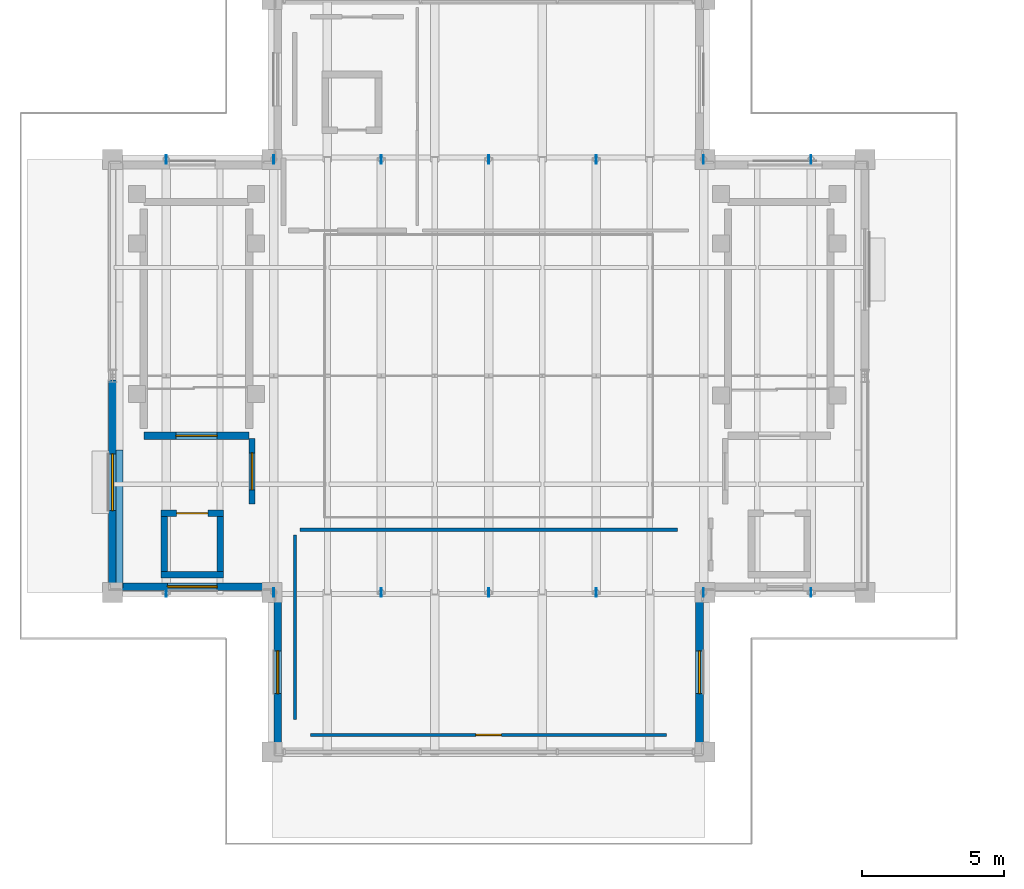
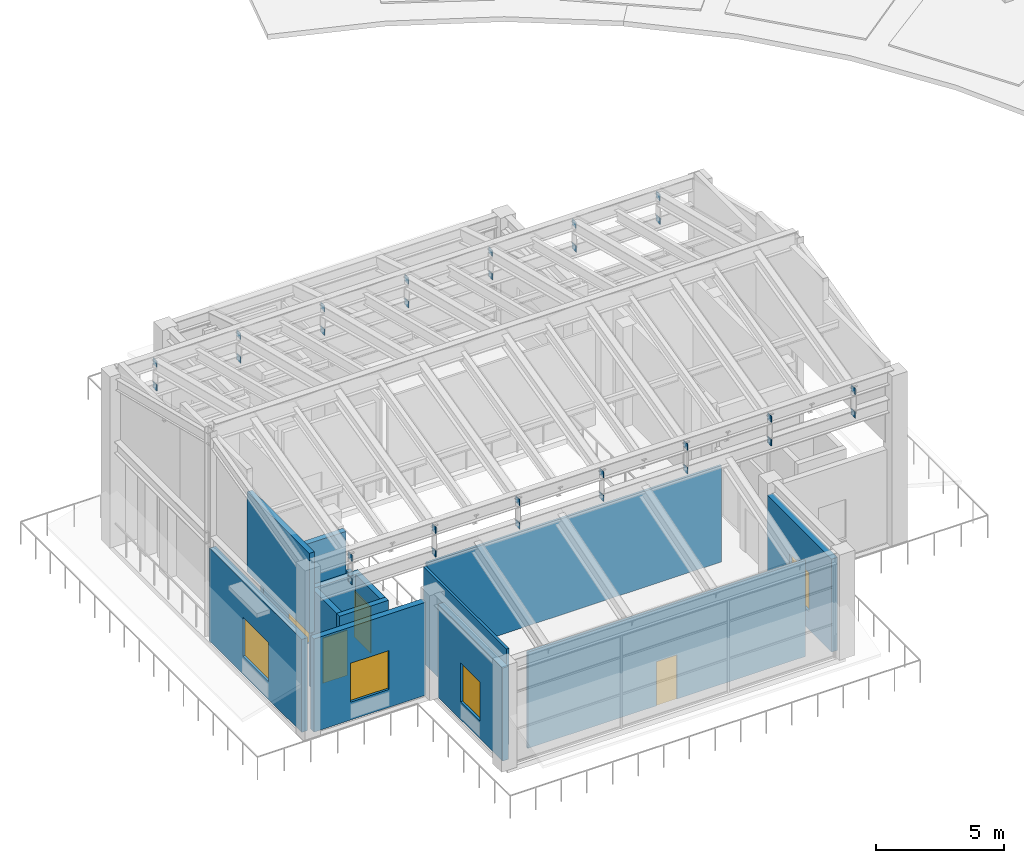
# One storey, part 6 of 11: 28 plates, 14 walls, 4 doors, 4 windows, 8 openings.
"""IFC4 building model written with IfcOpenShell, lengths in metres."""

from ifc_helpers import new_model, si_unit, direction, frame, frame_2d, origin, origin_2d, place, context, subcontext, project, spatial, rectangle, extrude, material, layer, layer_set, type_object, element, fill, save


model = new_model("IFC4")

# Units and contexts
model_context = context("Model", 3, precision=1e-05, world=origin(), true_north=direction((0.0, 1.0)))
body_context = subcontext(model_context, "Body", "Model", "MODEL_VIEW")
ifc_project = project(units=[si_unit("LENGTHUNIT", "METRE"), si_unit("AREAUNIT", "SQUARE_METRE"), si_unit("VOLUMEUNIT", "CUBIC_METRE"), si_unit("PLANEANGLEUNIT", "RADIAN"), si_unit("MASSUNIT", "GRAM", prefix="KILO")], contexts=[model_context])

# Site, building, storey
site_placement = place(None, origin())
site = spatial("IfcSite", under=ifc_project, at=site_placement, CompositionType="ELEMENT")
building_placement = place(site_placement, origin())
building = spatial("IfcBuilding", under=site, at=building_placement, Name="Saryqyr Civic Hall", CompositionType="ELEMENT")
storey_placement = place(building_placement, frame((0.0, 0.0, 29.39990234375)))
storey = spatial("IfcBuildingStorey", under=building, at=storey_placement, Name="L07", CompositionType="ELEMENT", Elevation=29.39990234375)

# Plates
ifc_material_1 = material(Name="Steel S355", Category="steel")
ifc_layer_1 = layer(ifc_material_1, 0.028076171875, Name="Steel S355")
ifc_layer_set_1 = layer_set([ifc_layer_1], Name="Steel S355")
plate_type = type_object("IfcPlateType", Name="STR-PLT-CAP28", PredefinedType="USERDEFINED", material=ifc_layer_set_1)
for number, where, z_axis, x_axis, name in (
    (1, (45.685791015625, 76.39990234375, 6.5703125), (0.0, 0.0, 1.0), (1.0, 0.0, 0.0), "Hollow section end cap V1-STRCAP-S0-B1"),
    (2, (45.685791015625, 76.39990234375, 7.68994140625), (0.0, 0.0, 1.0), (1.0, 0.0, 0.0), "Hollow section end cap V1-STRCAP-S1-B1"),
    (3, (45.685791015625, 91.60009765625, 6.5703125), (0.0, 0.0, 1.0), (1.0, 0.0, 0.0), "Hollow section end cap V1-STRCAP-N0-B1"),
    (4, (45.685791015625, 91.60009765625, 7.68994140625), (0.0, 0.0, 1.0), (1.0, 0.0, 0.0), "Hollow section end cap V1-STRCAP-N1-B1"),
    (5, (49.45703125, 76.39990234375, 6.5703125), (0.0, 0.0, 1.0), (1.0, 0.0, 0.0), "Hollow section end cap V1-STRCAP-S0-B2"),
    (6, (49.45703125, 76.39990234375, 7.68994140625), (0.0, 0.0, 1.0), (1.0, 0.0, 0.0), "Hollow section end cap V1-STRCAP-S1-B2"),
    (7, (49.45703125, 91.60009765625, 6.5703125), (0.0, 0.0, 1.0), (1.0, 0.0, 0.0), "Hollow section end cap V1-STRCAP-N0-B2"),
    (8, (49.45703125, 91.60009765625, 7.68994140625), (0.0, 0.0, 1.0), (1.0, 0.0, 0.0), "Hollow section end cap V1-STRCAP-N1-B2"),
    (9, (53.228515625, 76.39990234375, 6.5703125), (0.0, 0.0, 1.0), (1.0, 0.0, 0.0), "Hollow section end cap V1-STRCAP-S0-B3"),
    (10, (53.228515625, 76.39990234375, 7.68994140625), (0.0, 0.0, 1.0), (1.0, 0.0, 0.0), "Hollow section end cap V1-STRCAP-S1-B3"),
    (11, (53.228515625, 91.60009765625, 6.5703125), (0.0, 0.0, 1.0), (1.0, 0.0, 0.0), "Hollow section end cap V1-STRCAP-N0-B3"),
    (12, (53.228515625, 91.60009765625, 7.68994140625), (0.0, 0.0, 1.0), (1.0, 0.0, 0.0), "Hollow section end cap V1-STRCAP-N1-B3"),
    (13, (57.0, 76.39990234375, 6.5703125), (0.0, 0.0, 1.0), (1.0, 0.0, 0.0), "Hollow section end cap V1-STRCAP-S0-B4"),
    (14, (57.0, 76.39990234375, 7.68994140625), (0.0, 0.0, 1.0), (1.0, 0.0, 0.0), "Hollow section end cap V1-STRCAP-S1-B4"),
    (15, (57.0, 91.60009765625, 6.5703125), (0.0, 0.0, 1.0), (1.0, 0.0, 0.0), "Hollow section end cap V1-STRCAP-N0-B4"),
    (16, (57.0, 91.60009765625, 7.68994140625), (0.0, 0.0, 1.0), (1.0, 0.0, 0.0), "Hollow section end cap V1-STRCAP-N1-B4"),
    (17, (60.771484375, 76.39990234375, 6.5703125), (0.0, 0.0, 1.0), (1.0, 0.0, 0.0), "Hollow section end cap V1-STRCAP-S0-B5"),
    (18, (60.771484375, 76.39990234375, 7.68994140625), (0.0, 0.0, 1.0), (1.0, 0.0, 0.0), "Hollow section end cap V1-STRCAP-S1-B5"),
    (19, (60.771484375, 91.60009765625, 6.5703125), (0.0, 0.0, 1.0), (1.0, 0.0, 0.0), "Hollow section end cap V1-STRCAP-N0-B5"),
    (20, (60.771484375, 91.60009765625, 7.68994140625), (0.0, 0.0, 1.0), (1.0, 0.0, 0.0), "Hollow section end cap V1-STRCAP-N1-B5"),
    (21, (64.542724609375, 76.39990234375, 6.5703125), (0.0, 0.0, 1.0), (1.0, 0.0, 0.0), "Hollow section end cap V1-STRCAP-S0-B6"),
    (22, (64.542724609375, 76.39990234375, 7.68994140625), (0.0, 0.0, 1.0), (1.0, 0.0, 0.0), "Hollow section end cap V1-STRCAP-S1-B6"),
    (23, (64.542724609375, 91.60009765625, 6.5703125), (0.0, 0.0, 1.0), (1.0, 0.0, 0.0), "Hollow section end cap V1-STRCAP-N0-B6"),
    (24, (64.542724609375, 91.60009765625, 7.68994140625), (0.0, 0.0, 1.0), (1.0, 0.0, 0.0), "Hollow section end cap V1-STRCAP-N1-B6"),
    (25, (68.314208984375, 76.39990234375, 6.5703125), (0.0, 0.0, 1.0), (1.0, 0.0, 0.0), "Hollow section end cap V1-STRCAP-S0-B7"),
    (26, (68.314208984375, 76.39990234375, 7.68994140625), (0.0, 0.0, 1.0), (1.0, 0.0, 0.0), "Hollow section end cap V1-STRCAP-S1-B7"),
    (27, (68.314208984375, 91.60009765625, 6.5703125), (0.0, 0.0, 1.0), (1.0, 0.0, 0.0), "Hollow section end cap V1-STRCAP-N0-B7"),
    (28, (68.314208984375, 91.60009765625, 7.68994140625), (0.0, 0.0, 1.0), (1.0, 0.0, 0.0), "Hollow section end cap V1-STRCAP-N1-B7"),
):
    element("IfcPlate", number, at=place(storey_placement, frame(where, z_axis=z_axis, x_axis=x_axis)), inside=storey, type_object=plate_type, Name=name, ObjectType="FLANGE_PLATE", PredefinedType="USERDEFINED", context=body_context, shape_type="SweptSolid", body=[
        extrude(rectangle(XDim=0.028076171875, YDim=0.300048828125, at=origin_2d()), origin(), (0.0, 0.0, 1.0), 0.300048828125),
    ])

# Wall
ifc_material_2 = material(Name="Precast concrete C40/50", Category="concrete")
ifc_layer_2 = layer(ifc_material_2, 0.239990234375, Name="Precast concrete C40/50")
ifc_layer_set_2 = layer_set([ifc_layer_2], Name="Precast concrete C40/50")
wall_type_1 = type_object("IfcWallType", Name="ENV-WAL-EXT-240", PredefinedType="STANDARD", material=ifc_layer_set_2)
wall_1_placement = place(storey_placement, frame((44.050048828125, 76.550048828125, 4.7001953125), z_axis=(0.0, 0.0, 1.0), x_axis=(0.0, 1.0, 0.0)))
element("IfcWall", 29, at=wall_1_placement, inside=storey, type_object=wall_type_1, Name="Council Chamber crown gable infill wall W-1", PredefinedType="STANDARD", context=body_context, shape_type="SweptSolid", body=[
    extrude(rectangle(XDim=4.849853515625, YDim=0.239990234375, at=frame_2d((2.4248046875, 0.0))), origin(), (0.0, 0.0, 1.0), 3.7998046875),
])

# Wall, opening, window
ifc_layer_3 = layer(ifc_material_2, 0.27001953125, Name="Precast concrete C40/50")
ifc_layer_set_3 = layer_set([ifc_layer_3], Name="Precast concrete C40/50")
wall_type_2 = type_object("IfcWallType", Name="ENV-WAL-EXT-270", PredefinedType="STANDARD", material=ifc_layer_set_3)
wall_2_placement = place(storey_placement, frame((49.60009765625, 71.0849609375, 0.0), z_axis=(0.0, 0.0, 1.0), x_axis=(0.0, 1.0, 0.0)))
wall_2 = element("IfcWall", 30, at=wall_2_placement, inside=storey, type_object=wall_type_2, Name="Exterior wall V1-EW-L07-00", PredefinedType="STANDARD", context=body_context, shape_type="SweptSolid", body=[
    extrude(rectangle(XDim=5.030029296875, YDim=0.27001953125, at=frame_2d((2.51513671875, 0.0))), origin(), (0.0, 0.0, 1.0), 4.425048828125),
])
opening_1_placement = place(wall_2_placement, frame((1.764892578125, 0.0, 0.85009765625)))
opening_1 = element("IfcOpeningElement", 31, at=opening_1_placement, cuts=wall_2, Name="Opening W-26", PredefinedType="OPENING", context=body_context, shape_type="SweptSolid", body=[
    extrude(rectangle(XDim=1.5, YDim=1.85009765625, at=frame_2d((0.75, 0.925048828125))), frame((0.0, 0.14501953125, 0.0), z_axis=(0.0, -1.0, 0.0), x_axis=(1.0, 0.0, 0.0)), (0.0, 0.0, 1.0), 0.2900390625),
])
ifc_material_3 = material(Name="Anodised aluminium and triple low-E glass", Category="aluminium")
window_type_1 = type_object("IfcWindowType", Name="ENV-WIN-W26", PartitioningType="SINGLE_PANEL", PredefinedType="WINDOW", material=ifc_material_3)
window_1_placement = place(opening_1_placement, origin())
window_1 = element("IfcWindow", 32, at=window_1_placement, inside=storey, type_object=window_type_1, Name="Chamber cluster window L07-00", OverallHeight=1.85009765625, OverallWidth=1.5, PartitioningType="SINGLE_PANEL", PredefinedType="WINDOW", context=body_context, shape_type="SweptSolid", body=[
    extrude(rectangle(XDim=1.5, YDim=1.85009765625, at=frame_2d((0.75, 0.925048828125))), frame((0.0, 0.030029296875, 0.0), z_axis=(0.0, -1.0, 0.0), x_axis=(1.0, 0.0, 0.0)), (0.0, 0.0, 1.0), 0.06005859375),
])
fill(opening_1, window_1)

wall_3_placement = place(storey_placement, frame((49.114990234375, 76.60009765625, 0.0), z_axis=(0.0, 0.0, 1.0), x_axis=(-1.0, 0.0, 0.0)))
wall_3 = element("IfcWall", 33, at=wall_3_placement, inside=storey, type_object=wall_type_2, Name="Exterior wall V1-EW-L07-01", PredefinedType="STANDARD", context=body_context, shape_type="SweptSolid", body=[
    extrude(rectangle(XDim=5.030029296875, YDim=0.27001953125, at=frame_2d((2.51513671875, 0.0))), origin(), (0.0, 0.0, 1.0), 4.425048828125),
])
opening_2_placement = place(wall_3_placement, frame((1.639892578125, 0.0, 0.85009765625)))
opening_2 = element("IfcOpeningElement", 34, at=opening_2_placement, cuts=wall_3, Name="Opening W-27", PredefinedType="OPENING", context=body_context, shape_type="SweptSolid", body=[
    extrude(rectangle(XDim=1.75, YDim=1.85009765625, at=frame_2d((0.875, 0.925048828125))), frame((0.0, 0.14501953125, 0.0), z_axis=(0.0, -1.0, 0.0), x_axis=(1.0, 0.0, 0.0)), (0.0, 0.0, 1.0), 0.2900390625),
])
window_type_2 = type_object("IfcWindowType", Name="ENV-WIN-W27", PartitioningType="SINGLE_PANEL", PredefinedType="WINDOW", material=ifc_material_3)
window_2_placement = place(opening_2_placement, origin())
window_2 = element("IfcWindow", 35, at=window_2_placement, inside=storey, type_object=window_type_2, Name="Chamber cluster window L07-01", OverallHeight=1.85009765625, OverallWidth=1.75, PartitioningType="SINGLE_PANEL", PredefinedType="WINDOW", context=body_context, shape_type="SweptSolid", body=[
    extrude(rectangle(XDim=1.75, YDim=1.85009765625, at=frame_2d((0.875, 0.925048828125))), frame((0.0, 0.030029296875, 0.0), z_axis=(0.0, -1.0, 0.0), x_axis=(1.0, 0.0, 0.0)), (0.0, 0.0, 1.0), 0.06005859375),
])
fill(opening_2, window_2)

wall_4_placement = place(storey_placement, frame((43.800048828125, 76.68505859375, 0.0), z_axis=(0.0, 0.0, 1.0), x_axis=(0.0, 1.0, 0.0)))
wall_4 = element("IfcWall", 36, at=wall_4_placement, inside=storey, type_object=wall_type_2, Name="Exterior wall V1-EW-L07-02", PredefinedType="STANDARD", context=body_context, shape_type="SweptSolid", body=[
    extrude(rectangle(XDim=7.1650390625, YDim=0.27001953125, at=frame_2d((3.58251953125, 0.0))), origin(), (0.0, 0.0, 1.0), 4.425048828125),
])
opening_3_placement = place(wall_4_placement, frame((2.58203125, 0.0, 0.85009765625)))
opening_3 = element("IfcOpeningElement", 37, at=opening_3_placement, cuts=wall_4, Name="Opening W-28", PredefinedType="OPENING", context=body_context, shape_type="SweptSolid", body=[
    extrude(rectangle(XDim=2.0, YDim=1.85009765625, at=frame_2d((1.0, 0.925048828125))), frame((0.0, 0.14501953125, 0.0), z_axis=(0.0, -1.0, 0.0), x_axis=(1.0, 0.0, 0.0)), (0.0, 0.0, 1.0), 0.2900390625),
])
window_type_3 = type_object("IfcWindowType", Name="ENV-WIN-W28", PartitioningType="SINGLE_PANEL", PredefinedType="WINDOW", material=ifc_material_3)
window_3_placement = place(opening_3_placement, origin())
window_3 = element("IfcWindow", 38, at=window_3_placement, inside=storey, type_object=window_type_3, Name="Chamber cluster window L07-02", OverallHeight=1.85009765625, OverallWidth=2.0, PartitioningType="SINGLE_PANEL", PredefinedType="WINDOW", context=body_context, shape_type="SweptSolid", body=[
    extrude(rectangle(XDim=2.0, YDim=1.85009765625, at=frame_2d((1.0, 0.925048828125))), frame((0.0, 0.030029296875, 0.0), z_axis=(0.0, -1.0, 0.0), x_axis=(1.0, 0.0, 0.0)), (0.0, 0.0, 1.0), 0.06005859375),
])
fill(opening_3, window_3)

wall_5_placement = place(storey_placement, frame((64.39990234375, 76.114990234375, 0.0), z_axis=(0.0, 0.0, 1.0), x_axis=(0.0, -1.0, 0.0)))
wall_5 = element("IfcWall", 39, at=wall_5_placement, inside=storey, type_object=wall_type_2, Name="Exterior wall V1-EW-L07-10", PredefinedType="STANDARD", context=body_context, shape_type="SweptSolid", body=[
    extrude(rectangle(XDim=5.030029296875, YDim=0.27001953125, at=frame_2d((2.51513671875, 0.0))), origin(), (0.0, 0.0, 1.0), 4.425048828125),
])
opening_4_placement = place(wall_5_placement, frame((1.764892578125, 0.0, 0.85009765625)))
opening_4 = element("IfcOpeningElement", 40, at=opening_4_placement, cuts=wall_5, Name="Opening W-26", PredefinedType="OPENING", context=body_context, shape_type="SweptSolid", body=[
    extrude(rectangle(XDim=1.5, YDim=1.85009765625, at=frame_2d((0.75, 0.925048828125))), frame((0.0, 0.14501953125, 0.0), z_axis=(0.0, -1.0, 0.0), x_axis=(1.0, 0.0, 0.0)), (0.0, 0.0, 1.0), 0.2900390625),
])
window_4_placement = place(opening_4_placement, origin())
window_4 = element("IfcWindow", 41, at=window_4_placement, inside=storey, type_object=window_type_1, Name="Chamber cluster window L07-10", OverallHeight=1.85009765625, OverallWidth=1.5, PartitioningType="SINGLE_PANEL", PredefinedType="WINDOW", context=body_context, shape_type="SweptSolid", body=[
    extrude(rectangle(XDim=1.5, YDim=1.85009765625, at=frame_2d((0.75, 0.925048828125))), frame((0.0, 0.030029296875, 0.0), z_axis=(0.0, -1.0, 0.0), x_axis=(1.0, 0.0, 0.0)), (0.0, 0.0, 1.0), 0.06005859375),
])
fill(opening_4, window_4)

# Wall, opening, door
ifc_material_4 = material(Name="Autoclaved aerated concrete blockwork", Category="masonry")
ifc_layer_4 = layer(ifc_material_4, 0.199951171875, Name="Autoclaved aerated concrete blockwork")
ifc_layer_set_4 = layer_set([ifc_layer_4], Name="Autoclaved aerated concrete blockwork")
wall_type_3 = type_object("IfcWallType", Name="INT-WAL-FIR-200", PredefinedType="PARTITIONING", material=ifc_layer_set_4)
wall_6_placement = place(storey_placement, frame((48.699951171875, 81.800048828125, 0.0), z_axis=(0.0, 0.0, 1.0), x_axis=(0.0, -1.0, 0.0)))
wall_6 = element("IfcWall", 42, at=wall_6_placement, inside=storey, type_object=wall_type_3, Name="Firefighting lift lobby enclosure wall LF-01 L07", PredefinedType="PARTITIONING", context=body_context, shape_type="SweptSolid", body=[
    extrude(rectangle(XDim=2.300048828125, YDim=0.199951171875, at=frame_2d((1.14990234375, 0.0))), origin(), (0.0, 0.0, 1.0), 2.900146484375),
])
opening_5_placement = place(wall_6_placement, frame((0.5, 0.0, 0.0)))
opening_5 = element("IfcOpeningElement", 43, at=opening_5_placement, cuts=wall_6, Name="Opening FD-01", PredefinedType="OPENING", context=body_context, shape_type="SweptSolid", body=[
    extrude(rectangle(XDim=1.300048828125, YDim=2.199951171875, at=frame_2d((0.64990234375, 1.10009765625))), frame((0.0, 0.10986328125, 0.0), z_axis=(0.0, -1.0, 0.0), x_axis=(1.0, 0.0, 0.0)), (0.0, 0.0, 1.0), 0.219970703125),
])
ifc_material_5 = material(Name="Painted galvanized steel", Category="steel")
door_type_1 = type_object("IfcDoorType", Name="INT-DR-FFLOB-1300x2200", OperationType="NOTDEFINED", PredefinedType="DOOR", material=ifc_material_5)
door_1_placement = place(opening_5_placement, origin())
door_1 = element("IfcDoor", 44, at=door_1_placement, inside=storey, type_object=door_type_1, Name="Firefighting lift lobby smoke-control door LF-01 L07", OperationType="SINGLE_SWING_LEFT", OverallHeight=2.199951171875, OverallWidth=1.300048828125, PredefinedType="DOOR", context=body_context, shape_type="SweptSolid", body=[
    extrude(rectangle(XDim=1.300048828125, YDim=2.199951171875, at=frame_2d((0.64990234375, 1.10009765625))), frame((0.0, 0.02490234375, 0.0), z_axis=(0.0, -1.0, 0.0), x_axis=(1.0, 0.0, 0.0)), (0.0, 0.0, 1.0), 0.050048828125),
])
fill(opening_5, door_1)

# Walls
ifc_material_6 = material(Name="Moisture-resistant gypsum partition", Category="gypsum")
ifc_layer_5 = layer(ifc_material_6, 0.110107421875, Name="Moisture-resistant gypsum partition")
ifc_layer_set_5 = layer_set([ifc_layer_5], Name="Moisture-resistant gypsum partition")
wall_type_4 = type_object("IfcWallType", Name="INT-WAL-PRT-110", PredefinedType="PARTITIONING", material=ifc_layer_set_5)
wall_7_placement = place(storey_placement, frame((50.199951171875, 71.949951171875, 0.0), z_axis=(0.0, 0.0, 1.0), x_axis=(0.0, 1.0, 0.0)))
element("IfcWall", 45, at=wall_7_placement, inside=storey, type_object=wall_type_4, Name="Interior partition PRT-SP-V1-L07-R01-W1", PredefinedType="PARTITIONING", context=body_context, shape_type="SweptSolid", body=[
    extrude(rectangle(XDim=6.469970703125, YDim=0.110107421875, at=frame_2d((3.23486328125, 0.0))), origin(), (0.0, 0.0, 1.0), 4.570068359375),
])
wall_8_placement = place(storey_placement, frame((50.3798828125, 78.60009765625, 0.0), z_axis=(0.0, 0.0, 1.0), x_axis=(1.0, 0.0, 0.0)))
element("IfcWall", 46, at=wall_8_placement, inside=storey, type_object=wall_type_4, Name="Interior partition PRT-SP-V1-L07-R01-W2", PredefinedType="PARTITIONING", context=body_context, shape_type="SweptSolid", body=[
    extrude(rectangle(XDim=13.240234375, YDim=0.110107421875, at=frame_2d((6.6201171875, 0.0))), origin(), (0.0, 0.0, 1.0), 4.570068359375),
])

# Wall, opening, door
wall_9_placement = place(storey_placement, frame((63.25, 71.39990234375, 0.0), z_axis=(0.0, 0.0, 1.0), x_axis=(-1.0, 0.0, 0.0)))
wall_9 = element("IfcWall", 47, at=wall_9_placement, inside=storey, type_object=wall_type_4, Name="Interior partition PRT-SP-V1-L07-R01-W3", PredefinedType="PARTITIONING", context=body_context, shape_type="SweptSolid", body=[
    extrude(rectangle(XDim=12.5, YDim=0.110107421875, at=frame_2d((6.25, 0.0))), origin(), (0.0, 0.0, 1.0), 4.570068359375),
])
opening_6_placement = place(wall_9_placement, frame((5.800048828125, 0.0, 0.0)))
opening_6 = element("IfcOpeningElement", 48, at=opening_6_placement, cuts=wall_9, Name="Opening D-01", PredefinedType="OPENING", context=body_context, shape_type="SweptSolid", body=[
    extrude(rectangle(XDim=0.89990234375, YDim=2.10009765625, at=frame_2d((0.449951171875, 1.050048828125))), frame((0.0, 0.06494140625, 0.0), z_axis=(0.0, -1.0, 0.0), x_axis=(1.0, 0.0, 0.0)), (0.0, 0.0, 1.0), 0.130126953125),
])
ifc_material_7 = material(Name="Acoustic solid-core oak veneer", Category="wood")
door_type_2 = type_object("IfcDoorType", Name="INT-DR-D-01", OperationType="NOTDEFINED", PredefinedType="DOOR", material=ifc_material_7)
door_2_placement = place(opening_6_placement, origin())
door_2 = element("IfcDoor", 49, at=door_2_placement, inside=storey, type_object=door_type_2, Name="Interior door Public Gallery Seating Tier", OperationType="SINGLE_SWING_RIGHT", OverallHeight=2.10009765625, OverallWidth=0.89990234375, PredefinedType="DOOR", context=body_context, shape_type="SweptSolid", body=[
    extrude(rectangle(XDim=0.89990234375, YDim=2.10009765625, at=frame_2d((0.449951171875, 1.050048828125))), frame((0.0, 0.02490234375, 0.0), z_axis=(0.0, -1.0, 0.0), x_axis=(1.0, 0.0, 0.0)), (0.0, 0.0, 1.0), 0.050048828125),
])
fill(opening_6, door_2)

# Walls
ifc_material_8 = material(Name="Concrete C40/50", Category="concrete")
ifc_layer_6 = layer(ifc_material_8, 0.239990234375, Name="Concrete C40/50")
ifc_layer_set_6 = layer_set([ifc_layer_6], Name="Concrete C40/50")
wall_type_5 = type_object("IfcWallType", Name="INT-WAL-SHR-240", PredefinedType="SHEAR", material=ifc_layer_set_6)
wall_10_placement = place(storey_placement, frame((47.699951171875, 77.02001953125, 0.0), z_axis=(0.0, 0.0, 1.0), x_axis=(-1.0, 0.0, 0.0)))
element("IfcWall", 50, at=wall_10_placement, inside=storey, type_object=wall_type_5, Name="Lift shaft shear wall LF-01-SHW-S-L07", PredefinedType="SHEAR", context=body_context, shape_type="SweptSolid", body=[
    extrude(rectangle(XDim=2.199951171875, YDim=0.239990234375, at=frame_2d((1.10009765625, 0.0))), origin(), (0.0, 0.0, 1.0), 4.75),
])
wall_11_placement = place(storey_placement, frame((47.580078125, 79.06005859375, 0.0), z_axis=(0.0, 0.0, 1.0), x_axis=(0.0, -1.0, 0.0)))
element("IfcWall", 51, at=wall_11_placement, inside=storey, type_object=wall_type_5, Name="Lift shaft shear wall LF-01-SHW-E-L07", PredefinedType="SHEAR", context=body_context, shape_type="SweptSolid", body=[
    extrude(rectangle(XDim=1.920166015625, YDim=0.239990234375, at=frame_2d((0.9599609375, 0.0))), origin(), (0.0, 0.0, 1.0), 4.75),
])

# Wall, opening, door
wall_12_placement = place(storey_placement, frame((45.5, 79.179931640625, 0.0), z_axis=(0.0, 0.0, 1.0), x_axis=(1.0, 0.0, 0.0)))
wall_12 = element("IfcWall", 52, at=wall_12_placement, inside=storey, type_object=wall_type_5, Name="Lift shaft shear wall LF-01-SHW-N-L07", PredefinedType="SHEAR", context=body_context, shape_type="SweptSolid", body=[
    extrude(rectangle(XDim=2.199951171875, YDim=0.239990234375, at=frame_2d((1.10009765625, 0.0))), origin(), (0.0, 0.0, 1.0), 4.75),
])
opening_7_placement = place(wall_12_placement, frame((0.550048828125, 0.0, 0.0)))
opening_7 = element("IfcOpeningElement", 53, at=opening_7_placement, cuts=wall_12, Name="Opening LD-01", PredefinedType="OPENING", context=body_context, shape_type="SweptSolid", body=[
    extrude(rectangle(XDim=1.10009765625, YDim=2.14990234375, at=frame_2d((0.550048828125, 1.074951171875))), frame((0.0, 0.1298828125, 0.0), z_axis=(0.0, -1.0, 0.0), x_axis=(1.0, 0.0, 0.0)), (0.0, 0.0, 1.0), 0.260009765625),
])
ifc_material_9 = material(Name="Brushed stainless steel", Category="steel")
door_type_3 = type_object("IfcDoorType", Name="INT-DR-LD-1100x2150", OperationType="NOTDEFINED", PredefinedType="DOOR", material=ifc_material_9)
door_3_placement = place(opening_7_placement, origin())
door_3 = element("IfcDoor", 54, at=door_3_placement, inside=storey, type_object=door_type_3, Name="Lift sliding landing door LF-01 L07", OperationType="SLIDING_TO_LEFT", OverallHeight=2.14990234375, OverallWidth=1.10009765625, PredefinedType="DOOR", context=body_context, shape_type="SweptSolid", body=[
    extrude(rectangle(XDim=1.10009765625, YDim=2.14990234375, at=frame_2d((0.550048828125, 1.074951171875))), frame((0.0, 0.02490234375, 0.0), z_axis=(0.0, -1.0, 0.0), x_axis=(1.0, 0.0, 0.0)), (0.0, 0.0, 1.0), 0.050048828125),
])
fill(opening_7, door_3)

# Wall
wall_13_placement = place(storey_placement, frame((45.6201171875, 77.139892578125, 0.0), z_axis=(0.0, 0.0, 1.0), x_axis=(0.0, 1.0, 0.0)))
element("IfcWall", 55, at=wall_13_placement, inside=storey, type_object=wall_type_5, Name="Lift shaft shear wall LF-01-SHW-W-L07", PredefinedType="SHEAR", context=body_context, shape_type="SweptSolid", body=[
    extrude(rectangle(XDim=1.920166015625, YDim=0.239990234375, at=frame_2d((0.9599609375, 0.0))), origin(), (0.0, 0.0, 1.0), 4.75),
])

# Wall, opening, door
ifc_layer_7 = layer(ifc_material_8, 0.25, Name="Concrete C40/50")
ifc_layer_set_7 = layer_set([ifc_layer_7], Name="Concrete C40/50")
wall_type_6 = type_object("IfcWallType", Name="INT-WAL-SHR-250", PredefinedType="SHEAR", material=ifc_layer_set_7)
wall_14_placement = place(storey_placement, frame((48.60009765625, 81.89990234375, 0.0), z_axis=(0.0, 0.0, 1.0), x_axis=(-1.0, 0.0, 0.0)))
wall_14 = element("IfcWall", 56, at=wall_14_placement, inside=storey, type_object=wall_type_6, Name="Protected stair shaft wall ST-1-SW1-L07", PredefinedType="SHEAR", context=body_context, shape_type="SweptSolid", body=[
    extrude(rectangle(XDim=3.7001953125, YDim=0.25, at=frame_2d((1.85009765625, 0.0))), origin(), (0.0, 0.0, 1.0), 4.75),
])
opening_8_placement = place(wall_14_placement, frame((1.125, 0.0, 0.0)))
opening_8 = element("IfcOpeningElement", 57, at=opening_8_placement, cuts=wall_14, Name="Opening SD-02", PredefinedType="OPENING", context=body_context, shape_type="SweptSolid", body=[
    extrude(rectangle(XDim=1.449951171875, YDim=2.199951171875, at=frame_2d((0.72509765625, 1.10009765625))), frame((0.0, 0.135009765625, 0.0), z_axis=(0.0, -1.0, 0.0), x_axis=(1.0, 0.0, 0.0)), (0.0, 0.0, 1.0), 0.27001953125),
])
door_type_4 = type_object("IfcDoorType", Name="INT-DR-STAIR-1450x2200", OperationType="NOTDEFINED", PredefinedType="DOOR", material=ifc_material_5)
door_4_placement = place(opening_8_placement, origin())
door_4 = element("IfcDoor", 58, at=door_4_placement, inside=storey, type_object=door_type_4, Name="Exit stair landing fire door ST-1-L07", OperationType="SINGLE_SWING_LEFT", OverallHeight=2.199951171875, OverallWidth=1.449951171875, PredefinedType="DOOR", context=body_context, shape_type="SweptSolid", body=[
    extrude(rectangle(XDim=1.449951171875, YDim=2.199951171875, at=frame_2d((0.72509765625, 1.10009765625))), frame((0.0, 0.02490234375, 0.0), z_axis=(0.0, -1.0, 0.0), x_axis=(1.0, 0.0, 0.0)), (0.0, 0.0, 1.0), 0.050048828125),
])
fill(opening_8, door_4)

save(model, "model.ifc")
